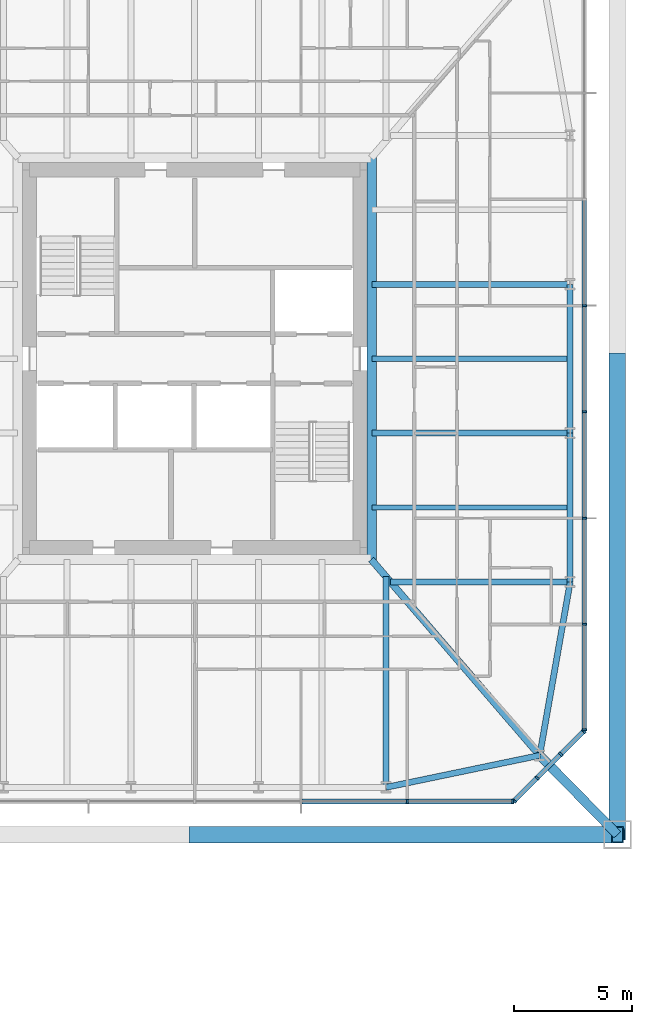
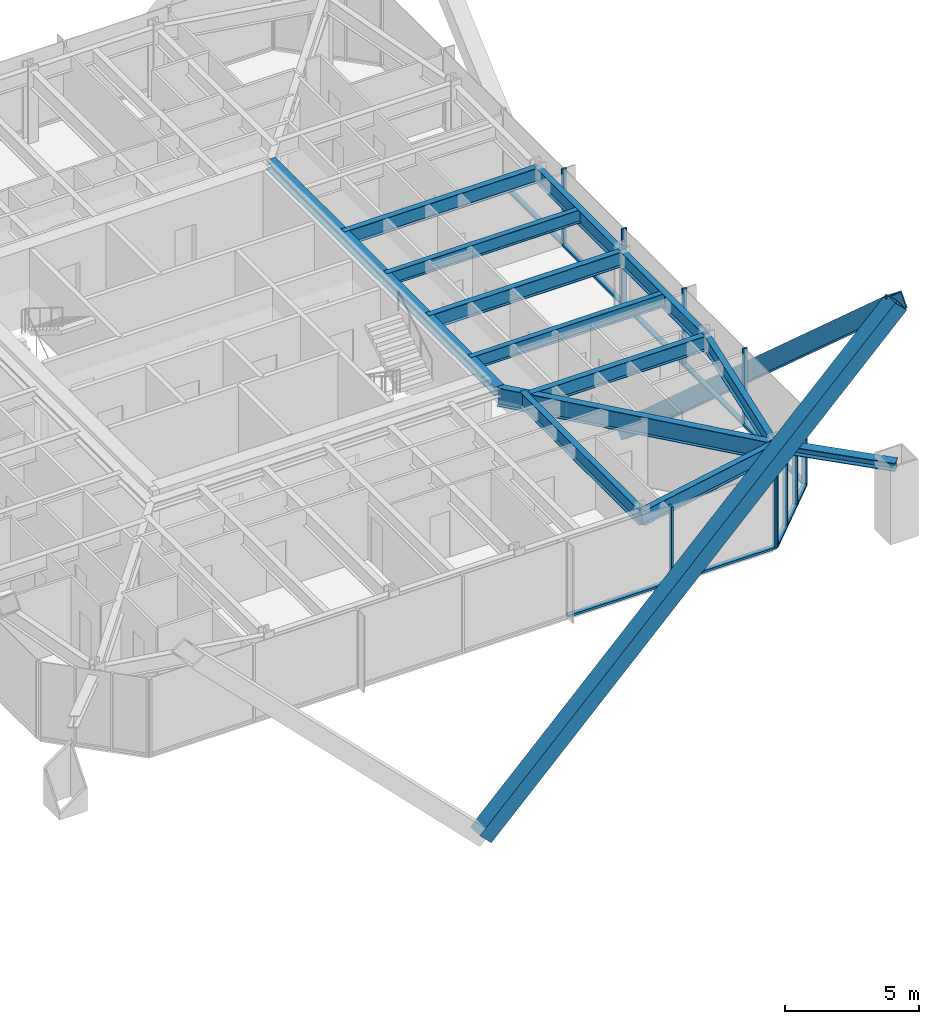
# One storey, part 10 of 27: 24 members, 12 beams, 3 elements without a shape of their own.
"""IFC4 building model written with IfcOpenShell, lengths in metres."""

import ifcopenshell
import ifcopenshell.guid

model = None  # the IFC model being written
_history = None  # IfcOwnerHistory: only IFC2X3 demands one
_inside = {}  # id of a spatial element -> (the spatial element, [elements in it])
_under = {}  # id of a project, library or spatial element -> (it, [spatial elements below it])
_declared = {}  # id of a project -> (the project, [libraries it declares])
_typed = {}  # id of a type object -> (the type object, [elements of that type])
_made_of = {}  # id of a material, layer set ... -> (it, [elements and type objects made of it])


def new_model(schema):
    """Start an empty IFC model of exactly this schema.

    Asked for "IFC4X3", IfcOpenShell would pick the latest addendum, in which some entities
    have other attributes; the version numbers below select the first issue.
    IFC2X3 requires an IfcOwnerHistory on every rooted entity: one is made here for all.
    """
    global model, _history
    if schema == "IFC4X3":
        model = ifcopenshell.file(schema_version=(4, 3, 0, 0))
    else:
        model = ifcopenshell.file(schema=schema)
    _inside.clear()
    _under.clear()
    _declared.clear()
    _typed.clear()
    _made_of.clear()
    _history = None
    if model.schema == "IFC2X3":
        org = make("IfcOrganization", Name="unknown")
        user = make(
            "IfcPersonAndOrganization",
            ThePerson=make("IfcPerson", FamilyName="unknown"),
            TheOrganization=org,
        )
        app = make(
            "IfcApplication",
            ApplicationDeveloper=org,
            Version="unknown",
            ApplicationFullName="unknown",
            ApplicationIdentifier="unknown",
        )
        _history = make(
            "IfcOwnerHistory",
            OwningUser=user,
            OwningApplication=app,
            ChangeAction="ADDED",
            CreationDate=0,
        )
    return model


def make(cls, **values):
    """One entity of the class cls with the attributes given. An attribute that is None is left unset."""
    return model.create_entity(
        cls, **{name: value for name, value in values.items() if value is not None}
    )


def rooted(cls, **values):
    """An entity with a GlobalId (a new one), such as an element, a storey or a relation."""
    return make(cls, GlobalId=ifcopenshell.guid.new(), OwnerHistory=_history, **values)


def si_unit(unit_type, name, prefix=None):
    """IfcSIUnit, for example si_unit("LENGTHUNIT", "METRE", prefix="MILLI")."""
    return make("IfcSIUnit", UnitType=unit_type, Prefix=prefix, Name=name)


def assignment(units):
    """IfcUnitAssignment: the units of a project."""
    return None if units is None else make("IfcUnitAssignment", Units=units)


def point(xyz):
    """IfcCartesianPoint."""
    return None if xyz is None else make("IfcCartesianPoint", Coordinates=xyz)


def direction(xyz):
    """IfcDirection."""
    return None if xyz is None else make("IfcDirection", DirectionRatios=xyz)


def frame(location, z_axis=None, x_axis=None):
    """IfcAxis2Placement3D, a coordinate frame: its origin and axes. An axis left out is left unset."""
    return make(
        "IfcAxis2Placement3D",
        Location=point(location),
        Axis=direction(z_axis),
        RefDirection=direction(x_axis),
    )


def frame_2d(location, x_axis=None):
    """IfcAxis2Placement2D, a coordinate frame in the plane: its origin and x axis."""
    return make(
        "IfcAxis2Placement2D", Location=point(location), RefDirection=direction(x_axis)
    )


def origin():
    """The frame at (0, 0, 0) with its axes left unset."""
    return frame((0.0, 0.0, 0.0))


def origin_2d():
    """The frame at (0, 0) in the plane with its x axis left unset."""
    return frame_2d((0.0, 0.0))


def place(relative_to, where):
    """IfcLocalPlacement: puts the frame where relative to a parent placement (None: the world)."""
    return make(
        "IfcLocalPlacement", PlacementRelTo=relative_to, RelativePlacement=where
    )


def context(
    kind, dimensions, precision=None, world=None, true_north=None, identifier=None
):
    """IfcGeometricRepresentationContext, for example the 3D "Model" context."""
    return make(
        "IfcGeometricRepresentationContext",
        ContextIdentifier=identifier,
        ContextType=kind,
        CoordinateSpaceDimension=dimensions,
        Precision=precision,
        WorldCoordinateSystem=world,
        TrueNorth=true_north,
    )


def subcontext(parent, identifier, kind, view, scale=None):
    """IfcGeometricRepresentationSubContext, for example "Body" below "Model"."""
    return make(
        "IfcGeometricRepresentationSubContext",
        ContextIdentifier=identifier,
        ContextType=kind,
        ParentContext=parent,
        TargetScale=scale,
        TargetView=view,
    )


def project(units=None, contexts=None):
    """IfcProject with its units and contexts."""
    return rooted(
        "IfcProject",
        Name="project",
        RepresentationContexts=contexts,
        UnitsInContext=assignment(units),
    )


def spatial(cls, under=None, at=None, **own):
    """A site, building, storey or space (cls), placed at a placement, below another one or the project."""
    s = rooted(cls, ObjectPlacement=at, **own)
    if under is not None:
        _under.setdefault(under.id(), (under, []))[1].append(s)
    return s


def profile(cls, at=None, kind="AREA", **sizes):
    """A parametric profile (cls). Its sizes go by their IFC names, for example OverallWidth=200.0."""
    return make(cls, ProfileType=kind, Position=at, **sizes)


def rectangle(**sizes):
    """IfcRectangleProfileDef."""
    return profile("IfcRectangleProfileDef", **sizes)


def hollow_rectangle(**sizes):
    """IfcRectangleHollowProfileDef."""
    return profile("IfcRectangleHollowProfileDef", **sizes)


def i_section(**sizes):
    """IfcIShapeProfileDef."""
    return profile("IfcIShapeProfileDef", **sizes)


def extrude(swept, where, along, depth):
    """IfcExtrudedAreaSolid: the profile swept, set in the frame where, extruded along a direction by depth."""
    return make(
        "IfcExtrudedAreaSolid",
        SweptArea=swept,
        Position=where,
        ExtrudedDirection=direction(along),
        Depth=depth,
    )


def shape(context_of_items, identifier, shape_type, items):
    """IfcShapeRepresentation: the items that make up one representation, for example the "Body"."""
    return make(
        "IfcShapeRepresentation",
        ContextOfItems=context_of_items,
        RepresentationIdentifier=identifier,
        RepresentationType=shape_type,
        Items=items,
    )


def material(Name=None, Category=None):
    """IfcMaterial."""
    return make("IfcMaterial", Name=Name, Category=Category)


def material_profile(
    of_material, cross_section, Name=None, Category=None, Priority=None
):
    """IfcMaterialProfile: a cross section and its material."""
    return make(
        "IfcMaterialProfile",
        Name=Name,
        Material=of_material,
        Profile=cross_section,
        Priority=Priority,
        Category=Category,
    )


def profile_set(profiles, Name=None, composite=None):
    """IfcMaterialProfileSet."""
    return make(
        "IfcMaterialProfileSet",
        Name=Name,
        MaterialProfiles=profiles,
        CompositeProfile=composite,
    )


def made_of(thing, what):
    """Note that an element or type object is made of a material, layer set ...; save() writes the relation."""
    if what is not None:
        _made_of.setdefault(what.id(), (what, []))[1].append(thing)
    return thing


def type_object(cls, material=None, **own):
    """A type object (cls), such as IfcWallType, which elements share."""
    return made_of(rooted(cls, **own), material)


def element(
    cls,
    number,
    at=None,
    inside=None,
    cuts=None,
    type_object=None,
    material=None,
    context=None,
    identifier="Body",
    shape_type=None,
    held_by="IfcProductDefinitionShape",
    body=None,
    shapes=None,
    **own,
):
    """One element of the class cls, such as IfcWall. Its Tag is "e" and its number.

    at: its placement. inside: the storey or other place that contains it. cuts: it is an
    opening in that element (IfcRelVoidsElement). A single representation is given by context,
    identifier, shape_type and body (its items); several are given by shapes. held_by: the class
    of the entity that holds the representations. save() writes the other relations.
    """
    e = rooted(cls, Tag="e%d" % number, ObjectPlacement=at, **own)
    if body is not None:
        shapes = [shape(context, identifier, shape_type, body)]
    if shapes is not None:
        e.Representation = make(held_by, Representations=shapes)
    if inside is not None:
        _inside.setdefault(inside.id(), (inside, []))[1].append(e)
    if cuts is not None:
        rooted(
            "IfcRelVoidsElement", RelatingBuildingElement=cuts, RelatedOpeningElement=e
        )
    if type_object is not None:
        _typed.setdefault(type_object.id(), (type_object, []))[1].append(e)
    return made_of(e, material)


def aggregate(whole, parts):
    """IfcRelAggregates: a whole, such as a stair, and the parts it consists of."""
    return rooted("IfcRelAggregates", RelatingObject=whole, RelatedObjects=parts)


def save(model, path):
    """Write the relations noted so far, then the file.

    IfcRelAggregates (storeys below a building ...), IfcRelContainedInSpatialStructure (elements
    in a storey), IfcRelDefinesByType, IfcRelAssociatesMaterial and IfcRelDeclares: one each for
    every whole, place, type object, material and project.
    """
    for whole, parts in _under.values():
        aggregate(whole, parts)
    for where, things in _inside.values():
        rooted(
            "IfcRelContainedInSpatialStructure",
            RelatedElements=things,
            RelatingStructure=where,
        )
    for kind, things in _typed.values():
        rooted("IfcRelDefinesByType", RelatedObjects=things, RelatingType=kind)
    for what, things in _made_of.values():
        rooted("IfcRelAssociatesMaterial", RelatedObjects=things, RelatingMaterial=what)
    for by, libraries in _declared.values():
        rooted("IfcRelDeclares", RelatingContext=by, RelatedDefinitions=libraries)
    model.write(path)


model = new_model("IFC4")

# Units and contexts
model_context = context("Model", 3, precision=1e-05, world=origin(), true_north=direction((0.0, 1.0)))
body_context = subcontext(model_context, "Body", "Model", "MODEL_VIEW")
ifc_project = project(units=[si_unit("LENGTHUNIT", "METRE"), si_unit("AREAUNIT", "SQUARE_METRE"), si_unit("VOLUMEUNIT", "CUBIC_METRE"), si_unit("PLANEANGLEUNIT", "RADIAN"), si_unit("MASSUNIT", "GRAM", prefix="KILO")], contexts=[model_context])

# Site, building, storey
site_placement = place(None, origin())
site = spatial("IfcSite", under=ifc_project, at=site_placement, CompositionType="ELEMENT")
building_placement = place(site_placement, origin())
building = spatial("IfcBuilding", under=site, at=building_placement, Name="Iwan Alto Co-Living Towers", CompositionType="ELEMENT")
storey_placement = place(building_placement, frame((0.0, 0.0, 25.5)))
storey = spatial("IfcBuildingStorey", under=building, at=storey_placement, Name="L06", CompositionType="ELEMENT", Elevation=25.5)

# Curtain wall, members
ifc_material_1 = material(Name="Bronze aluminium unitised frame", Category="aluminium")
curtain_wall_type_1 = type_object("IfcCurtainWallType", Name="CURTAIN WALL CW-C", PredefinedType="NOTDEFINED", material=ifc_material_1)
curtain_wall_1_placement = place(storey_placement, origin())
curtain_wall_1 = element("IfcCurtainWall", 1, at=curtain_wall_1_placement, inside=storey, type_object=curtain_wall_type_1, Name="T2 curtain wall S L06", PredefinedType="NOTDEFINED")
ifc_material_2 = material(Name="Aluminium 6063-T6 bronze anodised", Category="aluminium")
ifc_material_profile_1 = material_profile(ifc_material_2, rectangle(XDim=0.199951171875, YDim=0.080078125, at=origin_2d()), Name="AL 80X200")
ifc_profile_set_1 = profile_set([ifc_material_profile_1], Name="Aluminium 6063-T6 bronze anodised")
member_type_1 = type_object("IfcMemberType", Name="CW-C MULLION 80X200", PredefinedType="MULLION", material=ifc_profile_set_1)
member_1_placement = place(storey_placement, frame((72.0, -18.75, 0.0), z_axis=(0.0, 0.0, 1.0), x_axis=(0.0, 1.0, 0.0)))
member_1 = element("IfcMember", 2, at=member_1_placement, type_object=member_type_1, Name="CW-C mullion 6", PredefinedType="MULLION", context=body_context, shape_type="SweptSolid", body=[
    extrude(rectangle(XDim=0.199951171875, YDim=0.080078125, at=origin_2d()), origin(), (0.0, 0.0, 1.0), 3.5),
])
member_2_placement = place(storey_placement, frame((76.4599609375, -18.75, 0.0), z_axis=(0.0, 0.0, 1.0), x_axis=(0.0, 1.0, 0.0)))
member_2 = element("IfcMember", 3, at=member_2_placement, type_object=member_type_1, Name="CW-C mullion 7", PredefinedType="MULLION", context=body_context, shape_type="SweptSolid", body=[
    extrude(rectangle(XDim=0.199951171875, YDim=0.080078125, at=origin_2d()), origin(), (0.0, 0.0, 1.0), 3.5),
])

curtain_wall_2_placement = place(storey_placement, origin())
curtain_wall_2 = element("IfcCurtainWall", 4, at=curtain_wall_2_placement, inside=storey, type_object=curtain_wall_type_1, Name="T2 curtain wall E L06", PredefinedType="NOTDEFINED")
member_3_placement = place(storey_placement, frame((79.5, -15.7099609375, 0.0), z_axis=(0.0, 0.0, 1.0), x_axis=(-1.0, 0.0, 0.0)))
member_3 = element("IfcMember", 5, at=member_3_placement, type_object=member_type_1, Name="CW-C mullion 1", PredefinedType="MULLION", context=body_context, shape_type="SweptSolid", body=[
    extrude(rectangle(XDim=0.199951171875, YDim=0.080078125, at=origin_2d()), origin(), (0.0, 0.0, 1.0), 3.5),
])
member_4_placement = place(storey_placement, frame((79.5, -11.25, 0.0), z_axis=(0.0, 0.0, 1.0), x_axis=(-1.0, 0.0, 0.0)))
member_4 = element("IfcMember", 6, at=member_4_placement, type_object=member_type_1, Name="CW-C mullion 2", PredefinedType="MULLION", context=body_context, shape_type="SweptSolid", body=[
    extrude(rectangle(XDim=0.199951171875, YDim=0.080078125, at=origin_2d()), origin(), (0.0, 0.0, 1.0), 3.5),
])
member_5_placement = place(storey_placement, frame((79.5, -6.75, 0.0), z_axis=(0.0, 0.0, 1.0), x_axis=(-1.0, 0.0, 0.0)))
member_5 = element("IfcMember", 7, at=member_5_placement, type_object=member_type_1, Name="CW-C mullion 3", PredefinedType="MULLION", context=body_context, shape_type="SweptSolid", body=[
    extrude(rectangle(XDim=0.199951171875, YDim=0.080078125, at=origin_2d()), origin(), (0.0, 0.0, 1.0), 3.5),
])
member_6_placement = place(storey_placement, frame((79.5, -2.25, 0.0), z_axis=(0.0, 0.0, 1.0), x_axis=(-1.0, 0.0, 0.0)))
member_6 = element("IfcMember", 8, at=member_6_placement, type_object=member_type_1, Name="CW-C mullion 4", PredefinedType="MULLION", context=body_context, shape_type="SweptSolid", body=[
    extrude(rectangle(XDim=0.199951171875, YDim=0.080078125, at=origin_2d()), origin(), (0.0, 0.0, 1.0), 3.5),
])
member_7_placement = place(storey_placement, frame((79.5, 2.25, 0.0), z_axis=(0.0, 0.0, 1.0), x_axis=(-1.0, 0.0, 0.0)))
member_7 = element("IfcMember", 9, at=member_7_placement, type_object=member_type_1, Name="CW-C mullion 5", PredefinedType="MULLION", context=body_context, shape_type="SweptSolid", body=[
    extrude(rectangle(XDim=0.199951171875, YDim=0.080078125, at=origin_2d()), origin(), (0.0, 0.0, 1.0), 3.5),
])

# Member
ifc_material_3 = material(Name="Aluminium 6063-T6 bronze anodised", Category="aluminium")
ifc_material_profile_2 = material_profile(ifc_material_3, rectangle(XDim=0.199951171875, YDim=0.10009765625, at=origin_2d()), Name="AL 200X100")
ifc_profile_set_2 = profile_set([ifc_material_profile_2], Name="Aluminium 6063-T6 bronze anodised")
member_type_2 = type_object("IfcMemberType", Name="CW-C TRANSOM 200X100", PredefinedType="USERDEFINED", material=ifc_profile_set_2)
member_8_placement = place(storey_placement, frame((67.5400390625, -18.75, 0.050048828125), z_axis=(1.0, 0.0, 0.0), x_axis=(0.0, 1.0, 0.0)))
member_8 = element("IfcMember", 10, at=member_8_placement, type_object=member_type_2, Name="CW-C transom 5.1", ObjectType="TRANSOM", PredefinedType="USERDEFINED", context=body_context, shape_type="SweptSolid", body=[
    extrude(rectangle(XDim=0.199951171875, YDim=0.10009765625, at=origin_2d()), origin(), (0.0, 0.0, 1.0), 4.419921875),
])

member_9_placement = place(storey_placement, frame((72.0400390625, -18.75, 0.050048828125), z_axis=(1.0, 0.0, 0.0), x_axis=(0.0, 1.0, 0.0)))
member_9 = element("IfcMember", 11, at=member_9_placement, type_object=member_type_2, Name="CW-C transom 6.1", ObjectType="TRANSOM", PredefinedType="USERDEFINED", context=body_context, shape_type="SweptSolid", body=[
    extrude(rectangle(XDim=0.199951171875, YDim=0.10009765625, at=origin_2d()), origin(), (0.0, 0.0, 1.0), 4.3798828125),
])

aggregate(curtain_wall_1, [member_1, member_2, member_8, member_9])

member_10_placement = place(storey_placement, frame((79.5, -15.669921875, 0.050048828125), z_axis=(0.0, 1.0, 0.0), x_axis=(-1.0, 0.0, 0.0)))
member_10 = element("IfcMember", 12, at=member_10_placement, type_object=member_type_2, Name="CW-C transom 1.1", ObjectType="TRANSOM", PredefinedType="USERDEFINED", context=body_context, shape_type="SweptSolid", body=[
    extrude(rectangle(XDim=0.199951171875, YDim=0.10009765625, at=origin_2d()), origin(), (0.0, 0.0, 1.0), 4.3798828125),
])

member_11_placement = place(storey_placement, frame((79.5, -11.2099609375, 0.050048828125), z_axis=(0.0, 1.0, 0.0), x_axis=(-1.0, 0.0, 0.0)))
member_11 = element("IfcMember", 13, at=member_11_placement, type_object=member_type_2, Name="CW-C transom 2.1", ObjectType="TRANSOM", PredefinedType="USERDEFINED", context=body_context, shape_type="SweptSolid", body=[
    extrude(rectangle(XDim=0.199951171875, YDim=0.10009765625, at=origin_2d()), origin(), (0.0, 0.0, 1.0), 4.419921875),
])

member_12_placement = place(storey_placement, frame((79.5, -6.7099609375, 0.050048828125), z_axis=(0.0, 1.0, 0.0), x_axis=(-1.0, 0.0, 0.0)))
member_12 = element("IfcMember", 14, at=member_12_placement, type_object=member_type_2, Name="CW-C transom 3.1", ObjectType="TRANSOM", PredefinedType="USERDEFINED", context=body_context, shape_type="SweptSolid", body=[
    extrude(rectangle(XDim=0.199951171875, YDim=0.10009765625, at=origin_2d()), origin(), (0.0, 0.0, 1.0), 4.419921875),
])

member_13_placement = place(storey_placement, frame((79.5, -2.2099609375, 0.050048828125), z_axis=(0.0, 1.0, 0.0), x_axis=(-1.0, 0.0, 0.0)))
member_13 = element("IfcMember", 15, at=member_13_placement, type_object=member_type_2, Name="CW-C transom 4.1", ObjectType="TRANSOM", PredefinedType="USERDEFINED", context=body_context, shape_type="SweptSolid", body=[
    extrude(rectangle(XDim=0.199951171875, YDim=0.10009765625, at=origin_2d()), origin(), (0.0, 0.0, 1.0), 4.419921875),
])

member_14_placement = place(storey_placement, frame((79.5, 2.2900390625, 0.050048828125), z_axis=(0.0, 1.0, 0.0), x_axis=(-1.0, 0.0, 0.0)))
member_14 = element("IfcMember", 16, at=member_14_placement, type_object=member_type_2, Name="CW-C transom 5.1", ObjectType="TRANSOM", PredefinedType="USERDEFINED", context=body_context, shape_type="SweptSolid", body=[
    extrude(rectangle(XDim=0.199951171875, YDim=0.10009765625, at=origin_2d()), origin(), (0.0, 0.0, 1.0), 4.419921875),
])

aggregate(curtain_wall_2, [member_3, member_4, member_5, member_6, member_7, member_10, member_11, member_12, member_13, member_14])

# Curtain wall, members
ifc_material_4 = material(Name="Bronze aluminium unitised frame", Category="aluminium")
curtain_wall_type_2 = type_object("IfcCurtainWallType", Name="CURTAIN WALL CW-D", PredefinedType="NOTDEFINED", material=ifc_material_4)
curtain_wall_3_placement = place(storey_placement, origin())
curtain_wall_3 = element("IfcCurtainWall", 17, at=curtain_wall_3_placement, inside=storey, type_object=curtain_wall_type_2, Name="T2 chamfer curtain wall SE L06", PredefinedType="NOTDEFINED")
ifc_material_5 = material(Name="Aluminium 6063-T6 bronze anodised", Category="aluminium")
ifc_material_profile_3 = material_profile(ifc_material_5, rectangle(XDim=0.199951171875, YDim=0.080078125, at=origin_2d()), Name="AL 80X200")
ifc_profile_set_3 = profile_set([ifc_material_profile_3], Name="Aluminium 6063-T6 bronze anodised")
member_type_3 = type_object("IfcMemberType", Name="CW-D MULLION 80X200", PredefinedType="MULLION", material=ifc_profile_set_3)
member_15_placement = place(storey_placement, frame((76.5283203125, -18.7216796875, 0.0), z_axis=(0.0, 0.0, 1.0), x_axis=(-0.707106781187, 0.707106781187, 0.0)))
member_15 = element("IfcMember", 18, at=member_15_placement, type_object=member_type_3, Name="CW-D mullion 1", PredefinedType="MULLION", context=body_context, shape_type="SweptSolid", body=[
    extrude(rectangle(XDim=0.199951171875, YDim=0.080078125, at=origin_2d()), origin(), (0.0, 0.0, 1.0), 3.5),
])
member_16_placement = place(storey_placement, frame((77.5, -17.75, 0.0), z_axis=(0.0, 0.0, 1.0), x_axis=(-0.707106781187, 0.707106781187, 0.0)))
member_16 = element("IfcMember", 19, at=member_16_placement, type_object=member_type_3, Name="CW-D mullion 2", PredefinedType="MULLION", context=body_context, shape_type="SweptSolid", body=[
    extrude(rectangle(XDim=0.199951171875, YDim=0.080078125, at=origin_2d()), origin(), (0.0, 0.0, 1.0), 3.5),
])
member_17_placement = place(storey_placement, frame((78.5, -16.75, 0.0), z_axis=(0.0, 0.0, 1.0), x_axis=(-0.707106781187, 0.707106781187, 0.0)))
member_17 = element("IfcMember", 20, at=member_17_placement, type_object=member_type_3, Name="CW-D mullion 3", PredefinedType="MULLION", context=body_context, shape_type="SweptSolid", body=[
    extrude(rectangle(XDim=0.199951171875, YDim=0.080078125, at=origin_2d()), origin(), (0.0, 0.0, 1.0), 3.5),
])
member_18_placement = place(storey_placement, frame((79.4716796875, -15.7783203125, 0.0), z_axis=(0.0, 0.0, 1.0), x_axis=(-0.707106781187, 0.707106781187, 0.0)))
member_18 = element("IfcMember", 21, at=member_18_placement, type_object=member_type_3, Name="CW-D mullion 4", PredefinedType="MULLION", context=body_context, shape_type="SweptSolid", body=[
    extrude(rectangle(XDim=0.199951171875, YDim=0.080078125, at=origin_2d()), origin(), (0.0, 0.0, 1.0), 3.5),
])
ifc_material_6 = material(Name="Aluminium 6063-T6 bronze anodised", Category="aluminium")
ifc_material_profile_4 = material_profile(ifc_material_6, rectangle(XDim=0.199951171875, YDim=0.10009765625, at=origin_2d()), Name="AL 200X100")
ifc_profile_set_4 = profile_set([ifc_material_profile_4], Name="Aluminium 6063-T6 bronze anodised")
member_type_4 = type_object("IfcMemberType", Name="CW-D TRANSOM 200X100", PredefinedType="USERDEFINED", material=ifc_profile_set_4)
member_19_placement = place(storey_placement, frame((76.556640625, -18.693359375, 0.050048828125), z_axis=(0.707106781187, 0.707106781187, 0.0), x_axis=(-0.707106781187, 0.707106781187, 0.0)))
member_19 = element("IfcMember", 22, at=member_19_placement, type_object=member_type_4, Name="CW-D transom 1.1", ObjectType="TRANSOM", PredefinedType="USERDEFINED", context=body_context, shape_type="SweptSolid", body=[
    extrude(rectangle(XDim=0.199951171875, YDim=0.10009765625, at=origin_2d()), origin(), (0.0, 0.0, 1.0), 1.2939453125),
])
member_20_placement = place(storey_placement, frame((77.5283203125, -17.7216796875, 0.050048828125), z_axis=(0.707106781187, 0.707106781187, 0.0), x_axis=(-0.707106781187, 0.707106781187, 0.0)))
member_20 = element("IfcMember", 23, at=member_20_placement, type_object=member_type_4, Name="CW-D transom 2.1", ObjectType="TRANSOM", PredefinedType="USERDEFINED", context=body_context, shape_type="SweptSolid", body=[
    extrude(rectangle(XDim=0.199951171875, YDim=0.10009765625, at=origin_2d()), origin(), (0.0, 0.0, 1.0), 1.334228515625),
])
member_21_placement = place(storey_placement, frame((78.5283203125, -16.7216796875, 0.050048828125), z_axis=(0.707106781187, 0.707106781187, 0.0), x_axis=(-0.707106781187, 0.707106781187, 0.0)))
member_21 = element("IfcMember", 24, at=member_21_placement, type_object=member_type_4, Name="CW-D transom 3.1", ObjectType="TRANSOM", PredefinedType="USERDEFINED", context=body_context, shape_type="SweptSolid", body=[
    extrude(rectangle(XDim=0.199951171875, YDim=0.10009765625, at=origin_2d()), origin(), (0.0, 0.0, 1.0), 1.2939453125),
])
aggregate(curtain_wall_3, [member_15, member_16, member_17, member_18, member_19, member_20, member_21])

# Beams
ifc_material_7 = material(Name="Steel ASTM A992 Gr 50", Category="steel")
ifc_material_profile_5 = material_profile(ifc_material_7, i_section(OverallWidth=0.40380859375, OverallDepth=0.406494140625, WebThickness=0.027099609375, FlangeThickness=0.043701171875, at=origin_2d()), Name="W14X233")
ifc_profile_set_5 = profile_set([ifc_material_profile_5], Name="Steel ASTM A992 Gr 50")
beam_type_1 = type_object("IfcBeamType", Name="T2 CORE LEDGER BEAM W14X233", PredefinedType="BEAM", material=ifc_profile_set_5)
beam_1_placement = place(storey_placement, frame((70.501953125, -8.534912109375, 3.06689453125), z_axis=(0.0, 1.0, 0.0), x_axis=(-1.0, 0.0, 0.0)))
element("IfcBeam", 25, at=beam_1_placement, inside=storey, type_object=beam_type_1, Name="T2 core ledger beam E L07", PredefinedType="BEAM", context=body_context, shape_type="SweptSolid", body=[
    extrude(i_section(OverallWidth=0.40380859375, OverallDepth=0.406494140625, WebThickness=0.027099609375, FlangeThickness=0.043701171875, at=origin_2d()), origin(), (0.0, 0.0, 1.0), 17.06982421875),
])
ifc_material_8 = material(Name="Steel ASTM A992 Gr 50", Category="steel")
ifc_material_profile_6 = material_profile(ifc_material_8, i_section(OverallWidth=0.2919921875, OverallDepth=0.8408203125, WebThickness=0.0146484375, FlangeThickness=0.021728515625, at=origin_2d()), Name="W33X130")
ifc_profile_set_6 = profile_set([ifc_material_profile_6], Name="Steel ASTM A992 Gr 50")
beam_type_2 = type_object("IfcBeamType", Name="T2 CORNER GIRDER W33X130", PredefinedType="BEAM", material=ifc_profile_set_6)
beam_2_placement = place(storey_placement, frame((77.606201171875, -16.797119140625, 2.849609375), z_axis=(-0.651972301827, 0.758242782788, 0.0), x_axis=(-0.758242782788, -0.651972301827, 0.0)))
element("IfcBeam", 26, at=beam_2_placement, inside=storey, type_object=beam_type_2, Name="T2 corner girder CSE L07", PredefinedType="BEAM", context=body_context, shape_type="SweptSolid", body=[
    extrude(i_section(OverallWidth=0.2919921875, OverallDepth=0.8408203125, WebThickness=0.0146484375, FlangeThickness=0.021728515625, at=origin_2d()), origin(), (0.0, 0.0, 1.0), 10.93994140625),
])
ifc_material_9 = material(Name="Steel ASTM A992 Gr 50", Category="steel")
ifc_material_profile_7 = material_profile(ifc_material_9, i_section(OverallWidth=0.25390625, OverallDepth=0.683349609375, WebThickness=0.012451171875, FlangeThickness=0.018798828125, at=origin_2d()), Name="W27X94")
ifc_profile_set_7 = profile_set([ifc_material_profile_7], Name="Steel ASTM A992 Gr 50")
beam_type_3 = type_object("IfcBeamType", Name="T2 EDGE BEAM W27X94", PredefinedType="BEAM", material=ifc_profile_set_7)
beam_3_placement = place(storey_placement, frame((71.10009765625, -18.14990234375, 2.928466796875), z_axis=(0.979060119423, 0.203571320564, 0.0), x_axis=(-0.203571320564, 0.979060119423, 0.0)))
element("IfcBeam", 27, at=beam_3_placement, inside=storey, type_object=beam_type_3, Name="T2 edge beam S4 L07", PredefinedType="BEAM", context=body_context, shape_type="SweptSolid", body=[
    extrude(i_section(OverallWidth=0.25390625, OverallDepth=0.683349609375, WebThickness=0.012451171875, FlangeThickness=0.018798828125, at=origin_2d()), origin(), (0.0, 0.0, 1.0), 6.645263671875),
])
beam_4_placement = place(storey_placement, frame((77.606201171875, -16.797119140625, 2.928466796875), z_axis=(0.173413807283, 0.98484905008, 0.0), x_axis=(-0.98484905008, 0.173413807283, 0.0)))
element("IfcBeam", 28, at=beam_4_placement, inside=storey, type_object=beam_type_3, Name="T2 edge beam CSE L07", PredefinedType="BEAM", context=body_context, shape_type="SweptSolid", body=[
    extrude(i_section(OverallWidth=0.25390625, OverallDepth=0.683349609375, WebThickness=0.012451171875, FlangeThickness=0.018798828125, at=origin_2d()), origin(), (0.0, 0.0, 1.0), 7.460205078125),
])
beam_5_placement = place(storey_placement, frame((78.89990234375, -9.449951171875, 2.928466796875), z_axis=(0.0, 1.0, 0.0), x_axis=(-1.0, 0.0, 0.0)))
element("IfcBeam", 29, at=beam_5_placement, inside=storey, type_object=beam_type_3, Name="T2 edge beam E1 L07", PredefinedType="BEAM", context=body_context, shape_type="SweptSolid", body=[
    extrude(i_section(OverallWidth=0.25390625, OverallDepth=0.683349609375, WebThickness=0.012451171875, FlangeThickness=0.018798828125, at=origin_2d()), origin(), (0.0, 0.0, 1.0), 6.300048828125),
])
beam_6_placement = place(storey_placement, frame((78.89990234375, -3.14990234375, 2.928466796875), z_axis=(0.0, 1.0, 0.0), x_axis=(-1.0, 0.0, 0.0)))
element("IfcBeam", 30, at=beam_6_placement, inside=storey, type_object=beam_type_3, Name="T2 edge beam E2 L07", PredefinedType="BEAM", context=body_context, shape_type="SweptSolid", body=[
    extrude(i_section(OverallWidth=0.25390625, OverallDepth=0.683349609375, WebThickness=0.012451171875, FlangeThickness=0.018798828125, at=origin_2d()), origin(), (0.0, 0.0, 1.0), 6.2998046875),
])

# Members
ifc_material_10 = material(Name="Steel ASTM A572 Gr 50", Category="steel")
ifc_material_profile_8 = material_profile(ifc_material_10, hollow_rectangle(XDim=0.699951171875, YDim=0.699951171875, WallThickness=0.044921875, at=origin_2d()), Name="BOX 700X700X45")
ifc_profile_set_8 = profile_set([ifc_material_profile_8], Name="Steel ASTM A572 Gr 50")
member_type_5 = type_object("IfcMemberType", Name="T2 MEGA BRACE BOX 700X700X45", PredefinedType="BRACE", material=ifc_profile_set_8)
member_22_placement = place(storey_placement, frame((63.0, -20.14990234375, -7.5), z_axis=(0.705132454608, 0.0, 0.709075610537), x_axis=(0.0, 1.0, 0.0)))
element("IfcMember", 31, at=member_22_placement, inside=storey, type_object=member_type_5, Name="T2 mega brace Z1A S 1 upper", PredefinedType="BRACE", context=body_context, shape_type="SweptSolid", body=[
    extrude(hollow_rectangle(XDim=0.699951171875, YDim=0.699951171875, WallThickness=0.044921875, at=origin_2d()), origin(), (0.0, 0.0, 1.0), 25.38525390625),
])
member_23_placement = place(storey_placement, frame((80.89990234375, 0.0, -7.5), z_axis=(0.0, -0.745771862138, 0.666201418224), x_axis=(1.0, 0.0, 0.0)))
element("IfcMember", 32, at=member_23_placement, inside=storey, type_object=member_type_5, Name="T2 mega brace Z1A E 2 upper", PredefinedType="BRACE", context=body_context, shape_type="SweptSolid", body=[
    extrude(hollow_rectangle(XDim=0.699951171875, YDim=0.699951171875, WallThickness=0.044921875, at=origin_2d()), origin(), (0.0, 0.0, 1.0), 27.018798828125),
])
ifc_material_11 = material(Name="Steel ASTM A992 Gr 50", Category="steel")
ifc_material_profile_9 = material_profile(ifc_material_11, i_section(OverallWidth=0.393798828125, OverallDepth=0.3759765625, WebThickness=0.017333984375, FlangeThickness=0.027587890625, at=origin_2d()), Name="W14X145")
ifc_profile_set_9 = profile_set([ifc_material_profile_9], Name="Steel ASTM A992 Gr 50")
member_type_6 = type_object("IfcMemberType", Name="T2 MEGA COLUMN FLOOR TIE W14X145", PredefinedType="STRUT", material=ifc_profile_set_9)
member_24_placement = place(storey_placement, frame((80.89990234375, -20.14990234375, 3.08203125), z_axis=(-0.700793469544, 0.71336422187, 0.0), x_axis=(-0.71336422187, -0.700793469544, 0.0)))
element("IfcMember", 33, at=member_24_placement, inside=storey, type_object=member_type_6, Name="T2 mega column floor tie SE L07", PredefinedType="STRUT", context=body_context, shape_type="SweptSolid", body=[
    extrude(i_section(OverallWidth=0.393798828125, OverallDepth=0.3759765625, WebThickness=0.017333984375, FlangeThickness=0.027587890625, at=origin_2d()), origin(), (0.0, 0.0, 1.0), 4.699951171875),
])

# Beams
ifc_material_12 = material(Name="Steel ASTM A992 Gr 50", Category="steel")
ifc_material_profile_10 = material_profile(ifc_material_12, i_section(OverallWidth=0.25390625, OverallDepth=0.683349609375, WebThickness=0.012451171875, FlangeThickness=0.018798828125, at=origin_2d()), Name="W27X94")
ifc_profile_set_10 = profile_set([ifc_material_profile_10], Name="Steel ASTM A992 Gr 50")
beam_type_4 = type_object("IfcBeamType", Name="T2 RADIAL BEAM W27X94", PredefinedType="BEAM", material=ifc_profile_set_10)
beam_7_placement = place(storey_placement, frame((71.10009765625, -18.14990234375, 2.928466796875), z_axis=(0.0, 1.0, 0.0), x_axis=(-1.0, 0.0, 0.0)))
element("IfcBeam", 34, at=beam_7_placement, inside=storey, type_object=beam_type_4, Name="T2 radial beam S4 L07", PredefinedType="BEAM", context=body_context, shape_type="SweptSolid", body=[
    extrude(i_section(OverallWidth=0.25390625, OverallDepth=0.683349609375, WebThickness=0.012451171875, FlangeThickness=0.018798828125, at=origin_2d()), origin(), (0.0, 0.0, 1.0), 8.91943359375),
])
beam_8_placement = place(storey_placement, frame((78.89990234375, -9.449951171875, 2.928466796875), z_axis=(-1.0, 0.0, 0.0), x_axis=(0.0, -1.0, 0.0)))
element("IfcBeam", 35, at=beam_8_placement, inside=storey, type_object=beam_type_4, Name="T2 radial beam E1 L07", PredefinedType="BEAM", context=body_context, shape_type="SweptSolid", body=[
    extrude(i_section(OverallWidth=0.25390625, OverallDepth=0.683349609375, WebThickness=0.012451171875, FlangeThickness=0.018798828125, at=origin_2d()), origin(), (0.0, 0.0, 1.0), 7.611083984375),
])
for number, where, z_axis, x_axis, name in (
    (36, (78.89990234375, -3.14990234375, 2.928466796875), (-1.0, 0.0, 0.0), (0.0, -1.0, 0.0), "T2 radial beam E2 L07"),
    (37, (78.89990234375, 3.14990234375, 2.928466796875), (-1.0, 0.0, 0.0), (0.0, -1.0, 0.0), "T2 radial beam E3 L07"),
):
    element("IfcBeam", number, at=place(storey_placement, frame(where, z_axis=z_axis, x_axis=x_axis)), inside=storey, type_object=beam_type_4, Name=name, PredefinedType="BEAM", context=body_context, shape_type="SweptSolid", body=[
        extrude(i_section(OverallWidth=0.25390625, OverallDepth=0.683349609375, WebThickness=0.012451171875, FlangeThickness=0.018798828125, at=origin_2d()), origin(), (0.0, 0.0, 1.0), 8.39794921875),
    ])
ifc_material_13 = material(Name="Steel ASTM A992 Gr 50", Category="steel")
ifc_material_profile_11 = material_profile(ifc_material_13, i_section(OverallWidth=0.228271484375, OverallDepth=0.607177734375, WebThickness=0.01123046875, FlangeThickness=0.017333984375, at=origin_2d()), Name="W24X76")
ifc_profile_set_11 = profile_set([ifc_material_profile_11], Name="Steel ASTM A992 Gr 50")
beam_type_5 = type_object("IfcBeamType", Name="T2 SECONDARY BEAM W24X76", PredefinedType="JOIST", material=ifc_profile_set_11)
for number, where, z_axis, x_axis, name in (
    (38, (78.89990234375, -6.300048828125, 2.966552734375), (-1.0, 0.0, 0.0), (0.0, -1.0, 0.0), "T2 secondary beam E1 L07"),
    (39, (78.89990234375, 0.0, 2.966552734375), (-1.0, 0.0, 0.0), (0.0, -1.0, 0.0), "T2 secondary beam E2 L07"),
):
    element("IfcBeam", number, at=place(storey_placement, frame(where, z_axis=z_axis, x_axis=x_axis)), inside=storey, type_object=beam_type_5, Name=name, PredefinedType="JOIST", context=body_context, shape_type="SweptSolid", body=[
        extrude(i_section(OverallWidth=0.228271484375, OverallDepth=0.607177734375, WebThickness=0.01123046875, FlangeThickness=0.017333984375, at=origin_2d()), origin(), (0.0, 0.0, 1.0), 8.39794921875),
    ])

save(model, "model.ifc")
